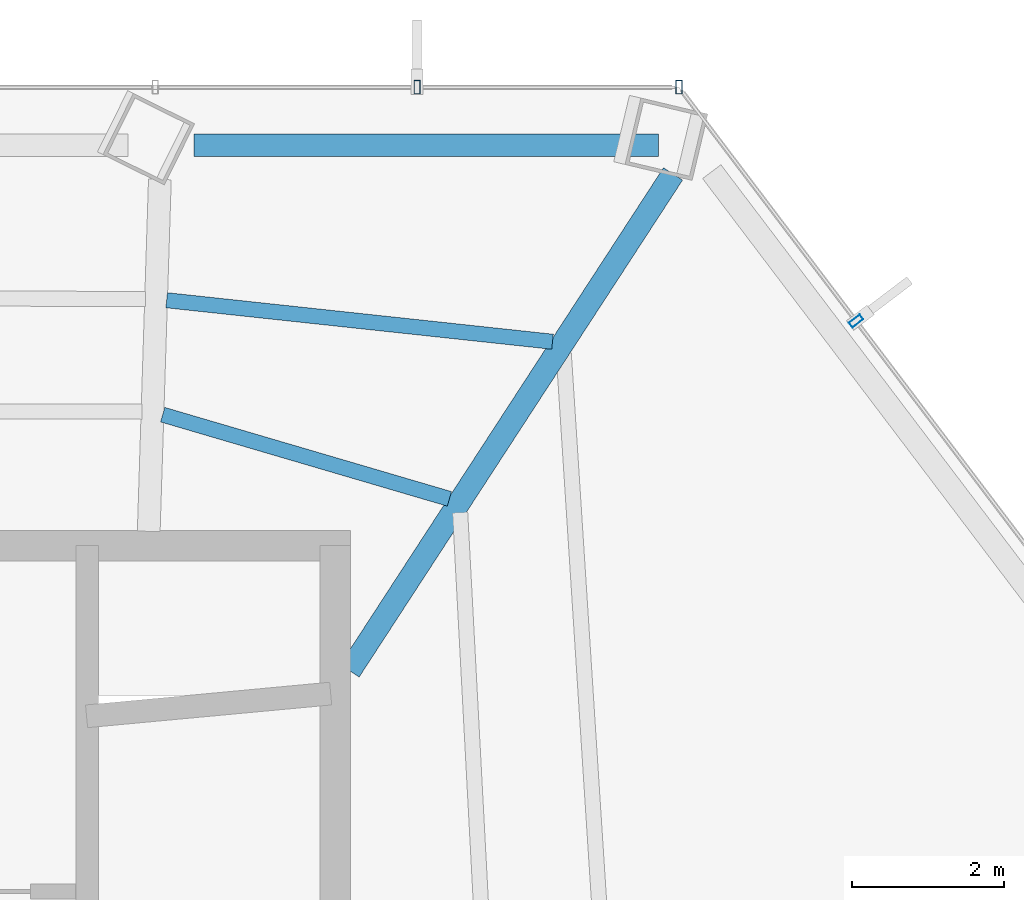
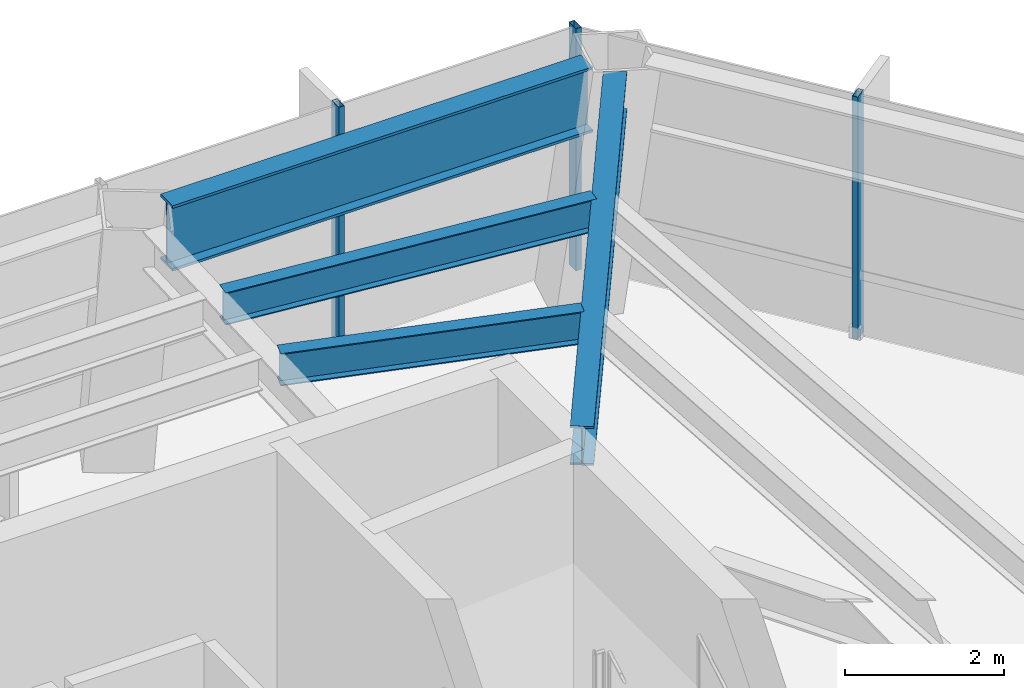
# One storey, part 19 of 25: 4 beams, 3 members, 2 elements without a shape of their own.
"""IFC4 building model written with IfcOpenShell, lengths in metres."""

import ifcopenshell
import ifcopenshell.guid

model = None  # the IFC model being written
_history = None  # IfcOwnerHistory: only IFC2X3 demands one
_inside = {}  # id of a spatial element -> (the spatial element, [elements in it])
_under = {}  # id of a project, library or spatial element -> (it, [spatial elements below it])
_declared = {}  # id of a project -> (the project, [libraries it declares])
_typed = {}  # id of a type object -> (the type object, [elements of that type])
_made_of = {}  # id of a material, layer set ... -> (it, [elements and type objects made of it])


def new_model(schema):
    """Start an empty IFC model of exactly this schema.

    Asked for "IFC4X3", IfcOpenShell would pick the latest addendum, in which some entities
    have other attributes; the version numbers below select the first issue.
    IFC2X3 requires an IfcOwnerHistory on every rooted entity: one is made here for all.
    """
    global model, _history
    if schema == "IFC4X3":
        model = ifcopenshell.file(schema_version=(4, 3, 0, 0))
    else:
        model = ifcopenshell.file(schema=schema)
    _inside.clear()
    _under.clear()
    _declared.clear()
    _typed.clear()
    _made_of.clear()
    _history = None
    if model.schema == "IFC2X3":
        org = make("IfcOrganization", Name="unknown")
        user = make(
            "IfcPersonAndOrganization",
            ThePerson=make("IfcPerson", FamilyName="unknown"),
            TheOrganization=org,
        )
        app = make(
            "IfcApplication",
            ApplicationDeveloper=org,
            Version="unknown",
            ApplicationFullName="unknown",
            ApplicationIdentifier="unknown",
        )
        _history = make(
            "IfcOwnerHistory",
            OwningUser=user,
            OwningApplication=app,
            ChangeAction="ADDED",
            CreationDate=0,
        )
    return model


def make(cls, **values):
    """One entity of the class cls with the attributes given. An attribute that is None is left unset."""
    return model.create_entity(
        cls, **{name: value for name, value in values.items() if value is not None}
    )


def rooted(cls, **values):
    """An entity with a GlobalId (a new one), such as an element, a storey or a relation."""
    return make(cls, GlobalId=ifcopenshell.guid.new(), OwnerHistory=_history, **values)


def si_unit(unit_type, name, prefix=None):
    """IfcSIUnit, for example si_unit("LENGTHUNIT", "METRE", prefix="MILLI")."""
    return make("IfcSIUnit", UnitType=unit_type, Prefix=prefix, Name=name)


def assignment(units):
    """IfcUnitAssignment: the units of a project."""
    return None if units is None else make("IfcUnitAssignment", Units=units)


def point(xyz):
    """IfcCartesianPoint."""
    return None if xyz is None else make("IfcCartesianPoint", Coordinates=xyz)


def direction(xyz):
    """IfcDirection."""
    return None if xyz is None else make("IfcDirection", DirectionRatios=xyz)


def frame(location, z_axis=None, x_axis=None):
    """IfcAxis2Placement3D, a coordinate frame: its origin and axes. An axis left out is left unset."""
    return make(
        "IfcAxis2Placement3D",
        Location=point(location),
        Axis=direction(z_axis),
        RefDirection=direction(x_axis),
    )


def frame_2d(location, x_axis=None):
    """IfcAxis2Placement2D, a coordinate frame in the plane: its origin and x axis."""
    return make(
        "IfcAxis2Placement2D", Location=point(location), RefDirection=direction(x_axis)
    )


def origin():
    """The frame at (0, 0, 0) with its axes left unset."""
    return frame((0.0, 0.0, 0.0))


def origin_2d():
    """The frame at (0, 0) in the plane with its x axis left unset."""
    return frame_2d((0.0, 0.0))


def place(relative_to, where):
    """IfcLocalPlacement: puts the frame where relative to a parent placement (None: the world)."""
    return make(
        "IfcLocalPlacement", PlacementRelTo=relative_to, RelativePlacement=where
    )


def context(
    kind, dimensions, precision=None, world=None, true_north=None, identifier=None
):
    """IfcGeometricRepresentationContext, for example the 3D "Model" context."""
    return make(
        "IfcGeometricRepresentationContext",
        ContextIdentifier=identifier,
        ContextType=kind,
        CoordinateSpaceDimension=dimensions,
        Precision=precision,
        WorldCoordinateSystem=world,
        TrueNorth=true_north,
    )


def subcontext(parent, identifier, kind, view, scale=None):
    """IfcGeometricRepresentationSubContext, for example "Body" below "Model"."""
    return make(
        "IfcGeometricRepresentationSubContext",
        ContextIdentifier=identifier,
        ContextType=kind,
        ParentContext=parent,
        TargetScale=scale,
        TargetView=view,
    )


def project(units=None, contexts=None):
    """IfcProject with its units and contexts."""
    return rooted(
        "IfcProject",
        Name="project",
        RepresentationContexts=contexts,
        UnitsInContext=assignment(units),
    )


def spatial(cls, under=None, at=None, **own):
    """A site, building, storey or space (cls), placed at a placement, below another one or the project."""
    s = rooted(cls, ObjectPlacement=at, **own)
    if under is not None:
        _under.setdefault(under.id(), (under, []))[1].append(s)
    return s


def profile(cls, at=None, kind="AREA", **sizes):
    """A parametric profile (cls). Its sizes go by their IFC names, for example OverallWidth=200.0."""
    return make(cls, ProfileType=kind, Position=at, **sizes)


def hollow_rectangle(**sizes):
    """IfcRectangleHollowProfileDef."""
    return profile("IfcRectangleHollowProfileDef", **sizes)


def i_section(**sizes):
    """IfcIShapeProfileDef."""
    return profile("IfcIShapeProfileDef", **sizes)


def extrude(swept, where, along, depth):
    """IfcExtrudedAreaSolid: the profile swept, set in the frame where, extruded along a direction by depth."""
    return make(
        "IfcExtrudedAreaSolid",
        SweptArea=swept,
        Position=where,
        ExtrudedDirection=direction(along),
        Depth=depth,
    )


def shape(context_of_items, identifier, shape_type, items):
    """IfcShapeRepresentation: the items that make up one representation, for example the "Body"."""
    return make(
        "IfcShapeRepresentation",
        ContextOfItems=context_of_items,
        RepresentationIdentifier=identifier,
        RepresentationType=shape_type,
        Items=items,
    )


def material(Name=None, Category=None):
    """IfcMaterial."""
    return make("IfcMaterial", Name=Name, Category=Category)


def layer(
    of_material, thickness, ventilated=None, Name=None, Category=None, Priority=None
):
    """IfcMaterialLayer: one layer of a wall or slab, of a material (None: an air gap)."""
    return make(
        "IfcMaterialLayer",
        Material=of_material,
        LayerThickness=thickness,
        IsVentilated=ventilated,
        Name=Name,
        Category=Category,
        Priority=Priority,
    )


def layer_set(layers, Name=None):
    """IfcMaterialLayerSet."""
    return make("IfcMaterialLayerSet", MaterialLayers=layers, LayerSetName=Name)


def material_profile(
    of_material, cross_section, Name=None, Category=None, Priority=None
):
    """IfcMaterialProfile: a cross section and its material."""
    return make(
        "IfcMaterialProfile",
        Name=Name,
        Material=of_material,
        Profile=cross_section,
        Priority=Priority,
        Category=Category,
    )


def profile_set(profiles, Name=None, composite=None):
    """IfcMaterialProfileSet."""
    return make(
        "IfcMaterialProfileSet",
        Name=Name,
        MaterialProfiles=profiles,
        CompositeProfile=composite,
    )


def made_of(thing, what):
    """Note that an element or type object is made of a material, layer set ...; save() writes the relation."""
    if what is not None:
        _made_of.setdefault(what.id(), (what, []))[1].append(thing)
    return thing


def type_object(cls, material=None, **own):
    """A type object (cls), such as IfcWallType, which elements share."""
    return made_of(rooted(cls, **own), material)


def element(
    cls,
    number,
    at=None,
    inside=None,
    cuts=None,
    type_object=None,
    material=None,
    context=None,
    identifier="Body",
    shape_type=None,
    held_by="IfcProductDefinitionShape",
    body=None,
    shapes=None,
    **own,
):
    """One element of the class cls, such as IfcWall. Its Tag is "e" and its number.

    at: its placement. inside: the storey or other place that contains it. cuts: it is an
    opening in that element (IfcRelVoidsElement). A single representation is given by context,
    identifier, shape_type and body (its items); several are given by shapes. held_by: the class
    of the entity that holds the representations. save() writes the other relations.
    """
    e = rooted(cls, Tag="e%d" % number, ObjectPlacement=at, **own)
    if body is not None:
        shapes = [shape(context, identifier, shape_type, body)]
    if shapes is not None:
        e.Representation = make(held_by, Representations=shapes)
    if inside is not None:
        _inside.setdefault(inside.id(), (inside, []))[1].append(e)
    if cuts is not None:
        rooted(
            "IfcRelVoidsElement", RelatingBuildingElement=cuts, RelatedOpeningElement=e
        )
    if type_object is not None:
        _typed.setdefault(type_object.id(), (type_object, []))[1].append(e)
    return made_of(e, material)


def aggregate(whole, parts):
    """IfcRelAggregates: a whole, such as a stair, and the parts it consists of."""
    return rooted("IfcRelAggregates", RelatingObject=whole, RelatedObjects=parts)


def save(model, path):
    """Write the relations noted so far, then the file.

    IfcRelAggregates (storeys below a building ...), IfcRelContainedInSpatialStructure (elements
    in a storey), IfcRelDefinesByType, IfcRelAssociatesMaterial and IfcRelDeclares: one each for
    every whole, place, type object, material and project.
    """
    for whole, parts in _under.values():
        aggregate(whole, parts)
    for where, things in _inside.values():
        rooted(
            "IfcRelContainedInSpatialStructure",
            RelatedElements=things,
            RelatingStructure=where,
        )
    for kind, things in _typed.values():
        rooted("IfcRelDefinesByType", RelatedObjects=things, RelatingType=kind)
    for what, things in _made_of.values():
        rooted("IfcRelAssociatesMaterial", RelatedObjects=things, RelatingMaterial=what)
    for by, libraries in _declared.values():
        rooted("IfcRelDeclares", RelatingContext=by, RelatedDefinitions=libraries)
    model.write(path)


model = new_model("IFC4")

# Units and contexts
model_context = context("Model", 3, precision=1e-05, world=origin(), true_north=direction((0.0, 1.0)))
body_context = subcontext(model_context, "Body", "Model", "MODEL_VIEW")
ifc_project = project(units=[si_unit("LENGTHUNIT", "METRE"), si_unit("AREAUNIT", "SQUARE_METRE"), si_unit("VOLUMEUNIT", "CUBIC_METRE"), si_unit("PLANEANGLEUNIT", "RADIAN"), si_unit("MASSUNIT", "GRAM", prefix="KILO")], contexts=[model_context])

# Site, building, storey
site_placement = place(None, origin())
site = spatial("IfcSite", under=ifc_project, at=site_placement, CompositionType="ELEMENT")
building_placement = place(site_placement, origin())
building = spatial("IfcBuilding", under=site, at=building_placement, Name="Zarrinselat Tower", CompositionType="ELEMENT")
storey_placement = place(building_placement, frame((0.0, 0.0, 105.06005859375)))
storey = spatial("IfcBuildingStorey", under=building, at=storey_placement, Name="L25", CompositionType="ELEMENT", Elevation=105.06005859375)

# Beams
ifc_material_1 = material(Name="Steel S355J2", Category="steel")
ifc_material_profile_1 = material_profile(ifc_material_1, i_section(OverallWidth=0.300048828125, OverallDepth=0.60009765625, WebThickness=0.015380859375, FlangeThickness=0.030029296875, at=origin_2d()), Name="HEB 600")
ifc_profile_set_1 = profile_set([ifc_material_profile_1], Name="Steel S355J2")
beam_type_1 = type_object("IfcBeamType", Name="BM-HEB600", PredefinedType="BEAM", material=ifc_profile_set_1)
beam_1_placement = place(storey_placement, frame((48.449951171875, 41.800048828125, 3.429931640625), z_axis=(0.545480949262, 0.838123221246, 0.0), x_axis=(-0.838123221246, 0.545480949262, 0.0)))
element("IfcBeam", 1, at=beam_1_placement, inside=storey, type_object=beam_type_1, Name="L25 Radial Primary Girder RG01", PredefinedType="BEAM", context=body_context, shape_type="SweptSolid", body=[
    extrude(i_section(OverallWidth=0.300048828125, OverallDepth=0.60009765625, WebThickness=0.015380859375, FlangeThickness=0.030029296875, at=origin_2d()), origin(), (0.0, 0.0, 1.0), 7.8203125),
])
ifc_material_2 = material(Name="Steel S460M", Category="steel")
ifc_material_profile_2 = material_profile(ifc_material_2, i_section(OverallWidth=0.302001953125, OverallDepth=1.008056640625, WebThickness=0.02099609375, FlangeThickness=0.0400390625, at=origin_2d()), Name="HEM 1000")
ifc_profile_set_2 = profile_set([ifc_material_profile_2], Name="Steel S460M")
beam_type_2 = type_object("IfcBeamType", Name="BM-HEM1000", PredefinedType="BEAM", material=ifc_profile_set_2)
beam_2_placement = place(storey_placement, frame((46.3994140625, 48.7333984375, 3.225830078125), z_axis=(1.0, 0.0, 0.0), x_axis=(0.0, 1.0, 0.0)))
element("IfcBeam", 2, at=beam_2_placement, inside=storey, type_object=beam_type_2, Name="L25 Perimeter Spandrel Girder SP01", PredefinedType="BEAM", context=body_context, shape_type="SweptSolid", body=[
    extrude(i_section(OverallWidth=0.302001953125, OverallDepth=1.008056640625, WebThickness=0.02099609375, FlangeThickness=0.0400390625, at=origin_2d()), origin(), (0.0, 0.0, 1.0), 6.125),
])
ifc_material_3 = material(Name="Steel S355J2", Category="steel")
ifc_material_profile_3 = material_profile(ifc_material_3, i_section(OverallWidth=0.199951171875, OverallDepth=0.5, WebThickness=0.01025390625, FlangeThickness=0.01611328125, at=origin_2d()), Name="IPE 500")
ifc_profile_set_3 = profile_set([ifc_material_profile_3], Name="Steel S355J2")
beam_type_3 = type_object("IfcBeamType", Name="BM-IPE500", PredefinedType="JOIST", material=ifc_profile_set_3)
beam_3_placement = place(storey_placement, frame((46.036376953125, 46.6884765625, 3.47998046875), z_axis=(0.99426214834, -0.106970932402, 0.0), x_axis=(0.106970932402, 0.99426214834, 0.0)))
element("IfcBeam", 3, at=beam_3_placement, inside=storey, type_object=beam_type_3, Name="L25 Composite Floor Joist 6-1", PredefinedType="JOIST", context=body_context, shape_type="SweptSolid", body=[
    extrude(i_section(OverallWidth=0.199951171875, OverallDepth=0.5, WebThickness=0.01025390625, FlangeThickness=0.01611328125, at=origin_2d()), origin(), (0.0, 0.0, 1.0), 5.119140625),
])
beam_4_placement = place(storey_placement, frame((45.984375, 45.1787109375, 3.47998046875), z_axis=(0.959480822742, -0.281773935613, 0.0), x_axis=(0.281773935613, 0.959480822742, 0.0)))
element("IfcBeam", 4, at=beam_4_placement, inside=storey, type_object=beam_type_3, Name="L25 Composite Floor Joist 6-2", PredefinedType="JOIST", context=body_context, shape_type="SweptSolid", body=[
    extrude(i_section(OverallWidth=0.199951171875, OverallDepth=0.5, WebThickness=0.01025390625, FlangeThickness=0.01611328125, at=origin_2d()), origin(), (0.0, 0.0, 1.0), 3.94140625),
])

# Curtain wall, members
ifc_material_4 = material(Name="Extruded Aluminium Alloy EN AW-6063 T6", Category="aluminium")
ifc_layer = layer(ifc_material_4, 0.18505859375)
ifc_layer_set = layer_set([ifc_layer], Name="Extruded Aluminium Alloy EN AW-6063 T6")
curtain_wall_type = type_object("IfcCurtainWallType", Name="CWS-OFF", PredefinedType="NOTDEFINED", material=ifc_layer_set)
curtain_wall_1_placement = place(storey_placement, origin())
curtain_wall_1 = element("IfcCurtainWall", 5, at=curtain_wall_1_placement, inside=storey, type_object=curtain_wall_type, Name="L25 Unitised Curtain Wall CW-L25-E01", PredefinedType="NOTDEFINED")
ifc_material_5 = material(Name="Extruded Aluminium Alloy EN AW-6063 T6", Category="aluminium")
ifc_material_profile_4 = material_profile(ifc_material_5, hollow_rectangle(XDim=0.080078125, YDim=0.179931640625, WallThickness=0.0048828125, at=origin_2d()), Name="RHS 180x80x5")
ifc_profile_set_4 = profile_set([ifc_material_profile_4], Name="Extruded Aluminium Alloy EN AW-6063 T6")
member_type = type_object("IfcMemberType", Name="MEM-CW-MUL", PredefinedType="MULLION", material=ifc_profile_set_4)
member_1_placement = place(storey_placement, frame((52.79443359375, 49.5, 0.0), z_axis=(0.0, 0.0, 1.0), x_axis=(-1.0, 0.0, 0.0)))
member_1 = element("IfcMember", 6, at=member_1_placement, type_object=member_type, Name="CW-L25-E01 Mullion 0", PredefinedType="MULLION", context=body_context, shape_type="SweptSolid", body=[
    extrude(hollow_rectangle(XDim=0.080078125, YDim=0.179931640625, WallThickness=0.0048828125, at=origin_2d()), origin(), (0.0, 0.0, 1.0), 3.72998046875),
])
member_2_placement = place(storey_placement, frame((49.340576171875, 49.5, 0.0), z_axis=(0.0, 0.0, 1.0), x_axis=(-1.0, 0.0, 0.0)))
member_2 = element("IfcMember", 7, at=member_2_placement, type_object=member_type, Name="CW-L25-E01 Mullion 1", PredefinedType="MULLION", context=body_context, shape_type="SweptSolid", body=[
    extrude(hollow_rectangle(XDim=0.080078125, YDim=0.179931640625, WallThickness=0.0048828125, at=origin_2d()), origin(), (0.0, 0.0, 1.0), 3.72998046875),
])
aggregate(curtain_wall_1, [member_1, member_2])

# Curtain wall, member
curtain_wall_2_placement = place(storey_placement, origin())
curtain_wall_2 = element("IfcCurtainWall", 8, at=curtain_wall_2_placement, inside=storey, type_object=curtain_wall_type, Name="L25 Unitised Curtain Wall CW-L25-E06", PredefinedType="NOTDEFINED")
member_3_placement = place(storey_placement, frame((55.131591796875, 46.4150390625, 0.0), z_axis=(0.0, 0.0, 1.0), x_axis=(-0.6038584342, 0.797091582847, 0.0)))
member_3 = element("IfcMember", 9, at=member_3_placement, type_object=member_type, Name="CW-L25-E06 Mullion 3", PredefinedType="MULLION", context=body_context, shape_type="SweptSolid", body=[
    extrude(hollow_rectangle(XDim=0.080078125, YDim=0.179931640625, WallThickness=0.0048828125, at=origin_2d()), origin(), (0.0, 0.0, 1.0), 3.72998046875),
])
aggregate(curtain_wall_2, [member_3])

save(model, "model.ifc")
